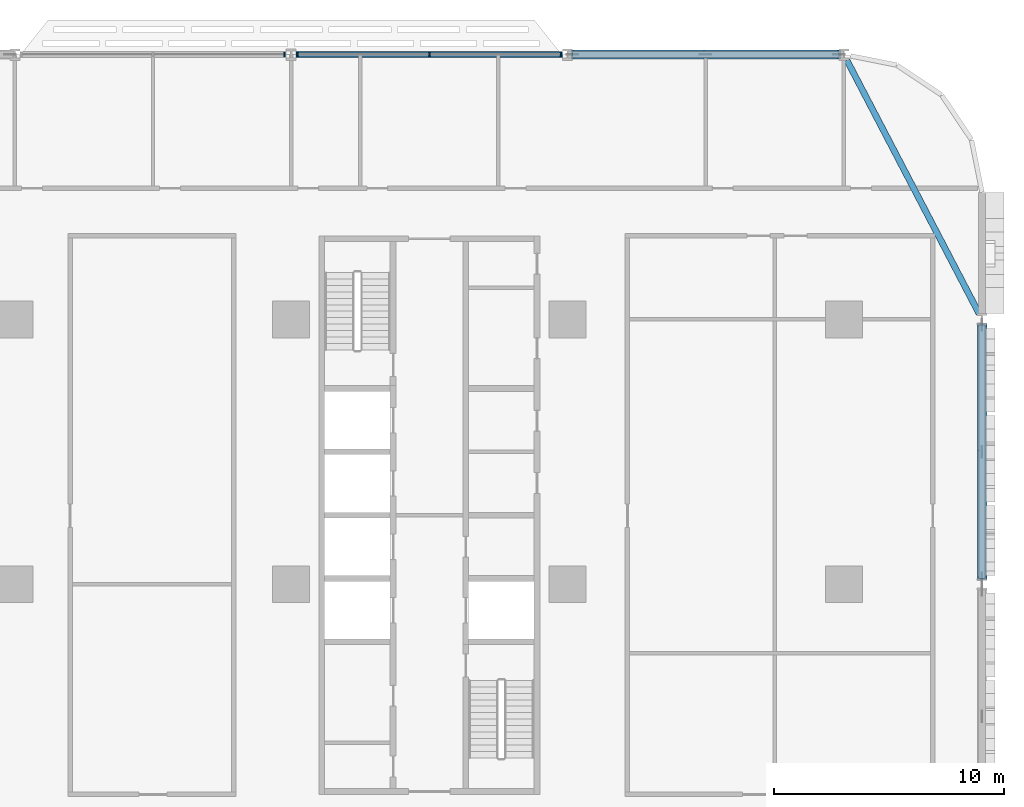
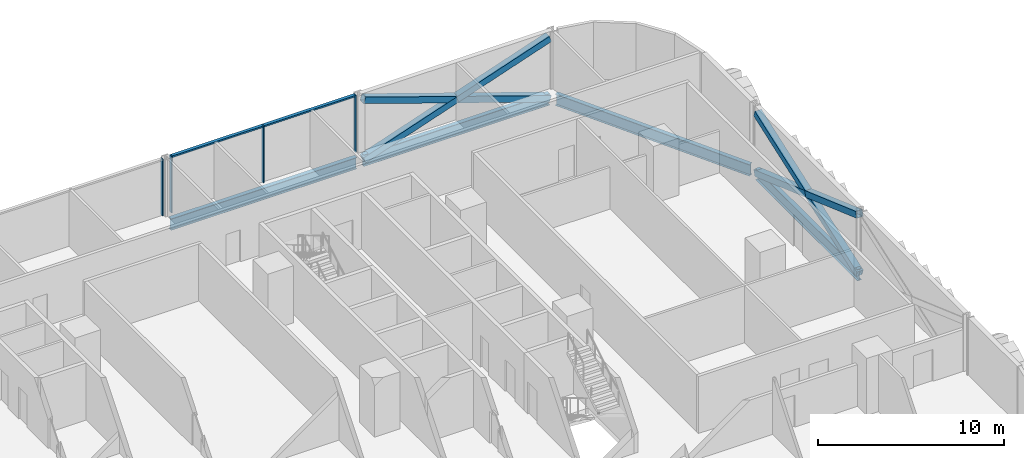
# One storey, part 8 of 29: 12 members, 4 beams, 2 elements without a shape of their own.
"""IFC4 building model written with IfcOpenShell, lengths in metres."""

from ifc_helpers import new_model, si_unit, direction, frame, origin, origin_2d, place, context, subcontext, project, spatial, rectangle, hollow_rectangle, i_section, extrude, material, material_profile, profile_set, type_object, element, aggregate, save


model = new_model("IFC4")

# Units and contexts
model_context = context("Model", 3, precision=1e-05, world=origin(), true_north=direction((0.0, 1.0)))
body_context = subcontext(model_context, "Body", "Model", "MODEL_VIEW")
ifc_project = project(units=[si_unit("LENGTHUNIT", "METRE"), si_unit("AREAUNIT", "SQUARE_METRE"), si_unit("VOLUMEUNIT", "CUBIC_METRE"), si_unit("PLANEANGLEUNIT", "RADIAN"), si_unit("MASSUNIT", "GRAM", prefix="KILO")], contexts=[model_context])

# Site, building, storey
site_placement = place(None, origin())
site = spatial("IfcSite", under=ifc_project, at=site_placement, CompositionType="ELEMENT")
building_placement = place(site_placement, origin())
building = spatial("IfcBuilding", under=site, at=building_placement, Name="Mahtab Terrace Research Tower", CompositionType="ELEMENT")
storey_placement = place(building_placement, frame((0.0, 0.0, 37.300048828125)))
storey = spatial("IfcBuildingStorey", under=building, at=storey_placement, Name="L08", CompositionType="ELEMENT", Elevation=37.300048828125)

# Members
ifc_material_1 = material(Name="Steel ASTM A500 Gr C", Category="steel")
ifc_material_profile_1 = material_profile(ifc_material_1, hollow_rectangle(XDim=0.406494140625, YDim=0.406494140625, WallThickness=0.01904296875, at=origin_2d()), Name="HSS16X16X3/4")
ifc_profile_set_1 = profile_set([ifc_material_profile_1], Name="Steel ASTM A500 Gr C")
member_type_1 = type_object("IfcMemberType", Name="HSS 16x16x3/4 brace XB161634", PredefinedType="BRACE", material=ifc_profile_set_1)
member_1_placement = place(storey_placement, frame((41.7841796875, 23.0, -0.64501953125), z_axis=(-0.946532370982, 0.0, 0.322608850907), x_axis=(0.0, -1.0, 0.0)))
element("IfcMember", 1, at=member_1_placement, inside=storey, type_object=member_type_1, Name="Exoskeleton brace L08 01 a", PredefinedType="BRACE", context=body_context, shape_type="SweptSolid", body=[
    extrude(hollow_rectangle(XDim=0.406494140625, YDim=0.406494140625, WallThickness=0.01904296875, at=origin_2d()), origin(), (0.0, 0.0, 1.0), 12.221923828125),
])
for number, where, z_axis, x_axis, name in (
    (2, (30.2158203125, 23.0, -0.64501953125), (0.946532370982, 0.0, 0.322608850907), (0.0, 1.0, 0.0), "Exoskeleton brace L08 01 b1"),
    (3, (36.0, 23.0, 1.326416015625), (0.946532370982, 0.0, 0.322608850907), (0.0, 1.0, 0.0), "Exoskeleton brace L08 01 b2"),
):
    element("IfcMember", number, at=place(storey_placement, frame(where, z_axis=z_axis, x_axis=x_axis)), inside=storey, type_object=member_type_1, Name=name, PredefinedType="BRACE", context=body_context, shape_type="SweptSolid", body=[
        extrude(hollow_rectangle(XDim=0.406494140625, YDim=0.406494140625, WallThickness=0.01904296875, at=origin_2d()), origin(), (0.0, 0.0, 1.0), 6.11083984375),
    ])
member_2_placement = place(storey_placement, frame((48.0, 0.248779296875, -0.6298828125), z_axis=(0.0, 0.9421913705, 0.335075247304), x_axis=(-1.0, 0.0, 0.0)))
element("IfcMember", 4, at=member_2_placement, inside=storey, type_object=member_type_1, Name="Exoskeleton brace L08 21 a", PredefinedType="BRACE", context=body_context, shape_type="SweptSolid", body=[
    extrude(hollow_rectangle(XDim=0.406494140625, YDim=0.406494140625, WallThickness=0.01904296875, at=origin_2d()), origin(), (0.0, 0.0, 1.0), 11.677490234375),
])
member_3_placement = place(storey_placement, frame((48.0, 11.251220703125, -0.6298828125), z_axis=(0.0, -0.942197970783, 0.33505668752), x_axis=(1.0, 0.0, 0.0)))
element("IfcMember", 5, at=member_3_placement, inside=storey, type_object=member_type_1, Name="Exoskeleton brace L08 21 b1", PredefinedType="BRACE", context=body_context, shape_type="SweptSolid", body=[
    extrude(hollow_rectangle(XDim=0.406494140625, YDim=0.406494140625, WallThickness=0.01904296875, at=origin_2d()), origin(), (0.0, 0.0, 1.0), 5.838623046875),
])
member_4_placement = place(storey_placement, frame((48.0, 5.75, 1.326416015625), z_axis=(0.0, -0.942184769943, 0.335093806698), x_axis=(1.0, 0.0, 0.0)))
element("IfcMember", 6, at=member_4_placement, inside=storey, type_object=member_type_1, Name="Exoskeleton brace L08 21 b2", PredefinedType="BRACE", context=body_context, shape_type="SweptSolid", body=[
    extrude(hollow_rectangle(XDim=0.406494140625, YDim=0.406494140625, WallThickness=0.01904296875, at=origin_2d()), origin(), (0.0, 0.0, 1.0), 5.8388671875),
])

# Curtain wall, members
ifc_material_2 = material(Name="Laboratory ribbon curtain wall")
curtain_wall_type = type_object("IfcCurtainWallType", Name="Laboratory ribbon curtain wall", PredefinedType="NOTDEFINED", material=ifc_material_2)
curtain_wall_1_placement = place(storey_placement, origin())
curtain_wall_1 = element("IfcCurtainWall", 7, at=curtain_wall_1_placement, inside=storey, type_object=curtain_wall_type, Name="EN.L08.3.4", PredefinedType="NOTDEFINED")
ifc_material_3 = material(Name="Natural anodised aluminium", Category="aluminium")
ifc_material_profile_2 = material_profile(ifc_material_3, rectangle(XDim=0.199951171875, YDim=0.06494140625, at=origin_2d()), Name="MULLION 65x200")
ifc_profile_set_2 = profile_set([ifc_material_profile_2], Name="Natural anodised aluminium")
member_type_2 = type_object("IfcMemberType", Name="Laboratory ribbon curtain wall mullion", PredefinedType="MULLION", material=ifc_profile_set_2)
member_5_placement = place(storey_placement, frame((29.718505859375, 23.0, 0.0), z_axis=(0.0, 0.0, 1.0), x_axis=(0.0, -1.0, 0.0)))
member_5 = element("IfcMember", 8, at=member_5_placement, type_object=member_type_2, Name="CWL-1 mullion 1", PredefinedType="MULLION", context=body_context, shape_type="SweptSolid", body=[
    extrude(rectangle(XDim=0.199951171875, YDim=0.06494140625, at=origin_2d()), origin(), (0.0, 0.0, 1.0), 3.75),
])
member_6_placement = place(storey_placement, frame((24.0, 23.0, 0.0), z_axis=(0.0, 0.0, 1.0), x_axis=(0.0, -1.0, 0.0)))
member_6 = element("IfcMember", 9, at=member_6_placement, type_object=member_type_2, Name="CWL-1 mullion 2", PredefinedType="MULLION", context=body_context, shape_type="SweptSolid", body=[
    extrude(rectangle(XDim=0.199951171875, YDim=0.06494140625, at=origin_2d()), origin(), (0.0, 0.0, 1.0), 3.75),
])
member_7_placement = place(storey_placement, frame((18.281494140625, 23.0, 0.0), z_axis=(0.0, 0.0, 1.0), x_axis=(0.0, -1.0, 0.0)))
member_7 = element("IfcMember", 10, at=member_7_placement, type_object=member_type_2, Name="CWL-1 mullion 3", PredefinedType="MULLION", context=body_context, shape_type="SweptSolid", body=[
    extrude(rectangle(XDim=0.199951171875, YDim=0.06494140625, at=origin_2d()), origin(), (0.0, 0.0, 1.0), 3.75),
])

# Curtain wall, member
curtain_wall_2_placement = place(storey_placement, origin())
curtain_wall_2 = element("IfcCurtainWall", 11, at=curtain_wall_2_placement, inside=storey, type_object=curtain_wall_type, Name="EN.L08.3.5", PredefinedType="NOTDEFINED")
member_8_placement = place(storey_placement, frame((17.718505859375, 23.0, 0.0), z_axis=(0.0, 0.0, 1.0), x_axis=(0.0, -1.0, 0.0)))
member_8 = element("IfcMember", 12, at=member_8_placement, type_object=member_type_2, Name="CWL-1 mullion 1", PredefinedType="MULLION", context=body_context, shape_type="SweptSolid", body=[
    extrude(rectangle(XDim=0.199951171875, YDim=0.06494140625, at=origin_2d()), origin(), (0.0, 0.0, 1.0), 3.75),
])
aggregate(curtain_wall_2, [member_8])

# Member
ifc_material_profile_3 = material_profile(ifc_material_3, rectangle(XDim=0.199951171875, YDim=0.10009765625, at=origin_2d()), Name="TRANSOM 100x200")
ifc_profile_set_3 = profile_set([ifc_material_profile_3], Name="Natural anodised aluminium")
member_type_3 = type_object("IfcMemberType", Name="Laboratory ribbon curtain wall transom", PredefinedType="USERDEFINED", material=ifc_profile_set_3)
member_9_placement = place(storey_placement, frame((29.68603515625, 23.0, 3.699951171875), z_axis=(-1.0, 0.0, 0.0), x_axis=(0.0, -1.0, 0.0)))
member_9 = element("IfcMember", 13, at=member_9_placement, type_object=member_type_3, Name="CWL-1 transom 1", ObjectType="TRANSOM", PredefinedType="USERDEFINED", context=body_context, shape_type="SweptSolid", body=[
    extrude(rectangle(XDim=0.199951171875, YDim=0.10009765625, at=origin_2d()), origin(), (0.0, 0.0, 1.0), 5.653564453125),
])

member_10_placement = place(storey_placement, frame((23.967529296875, 23.0, 3.699951171875), z_axis=(-1.0, 0.0, 0.0), x_axis=(0.0, -1.0, 0.0)))
member_10 = element("IfcMember", 14, at=member_10_placement, type_object=member_type_3, Name="CWL-1 transom 2", ObjectType="TRANSOM", PredefinedType="USERDEFINED", context=body_context, shape_type="SweptSolid", body=[
    extrude(rectangle(XDim=0.199951171875, YDim=0.10009765625, at=origin_2d()), origin(), (0.0, 0.0, 1.0), 5.653564453125),
])

aggregate(curtain_wall_1, [member_5, member_6, member_7, member_9, member_10])

# Beams
ifc_material_4 = material(Name="Steel ASTM A992 Gr 50", Category="steel")
ifc_material_profile_4 = material_profile(ifc_material_4, i_section(OverallWidth=0.2666015625, OverallDepth=0.7568359375, WebThickness=0.013916015625, FlangeThickness=0.019287109375, at=origin_2d()), Name="W30X108")
ifc_profile_set_4 = profile_set([ifc_material_profile_4], Name="Steel ASTM A992 Gr 50")
beam_type = type_object("IfcBeamType", Name="W30x108 beam BS30108", PredefinedType="BEAM", material=ifc_profile_set_4)
for number, where, z_axis, x_axis, name in (
    (15, (41.7841796875, 23.0, -0.718505859375), (-1.0, 0.0, 0.0), (0.0, -1.0, 0.0), "Spandrel beam L08 01"),
    (16, (29.7841796875, 23.0, -0.718505859375), (-1.0, 0.0, 0.0), (0.0, -1.0, 0.0), "Spandrel beam L08 02"),
):
    element("IfcBeam", number, at=place(storey_placement, frame(where, z_axis=z_axis, x_axis=x_axis)), inside=storey, type_object=beam_type, Name=name, PredefinedType="BEAM", context=body_context, shape_type="SweptSolid", body=[
        extrude(i_section(OverallWidth=0.2666015625, OverallDepth=0.7568359375, WebThickness=0.013916015625, FlangeThickness=0.019287109375, at=origin_2d()), origin(), (0.0, 0.0, 1.0), 11.568359375),
    ])
beam_1_placement = place(storey_placement, frame((48.0, 0.248779296875, -0.718505859375), z_axis=(0.0, 1.0, 0.0), x_axis=(-1.0, 0.0, 0.0)))
element("IfcBeam", 17, at=beam_1_placement, inside=storey, type_object=beam_type, Name="Spandrel beam L08 21", PredefinedType="BEAM", context=body_context, shape_type="SweptSolid", body=[
    extrude(i_section(OverallWidth=0.2666015625, OverallDepth=0.7568359375, WebThickness=0.013916015625, FlangeThickness=0.019287109375, at=origin_2d()), origin(), (0.0, 0.0, 1.0), 11.00244140625),
])
beam_2_placement = place(storey_placement, frame((47.8701171875, 11.748779296875, -0.718505859375), z_axis=(-0.462555249274, 0.88659045865, 0.0), x_axis=(-0.88659045865, -0.462555249274, 0.0)))
element("IfcBeam", 18, at=beam_2_placement, inside=storey, type_object=beam_type, Name="Spandrel beam L08 22", PredefinedType="BEAM", context=body_context, shape_type="SweptSolid", body=[
    extrude(i_section(OverallWidth=0.2666015625, OverallDepth=0.7568359375, WebThickness=0.013916015625, FlangeThickness=0.019287109375, at=origin_2d()), origin(), (0.0, 0.0, 1.0), 12.409912109375),
])

save(model, "model.ifc")
